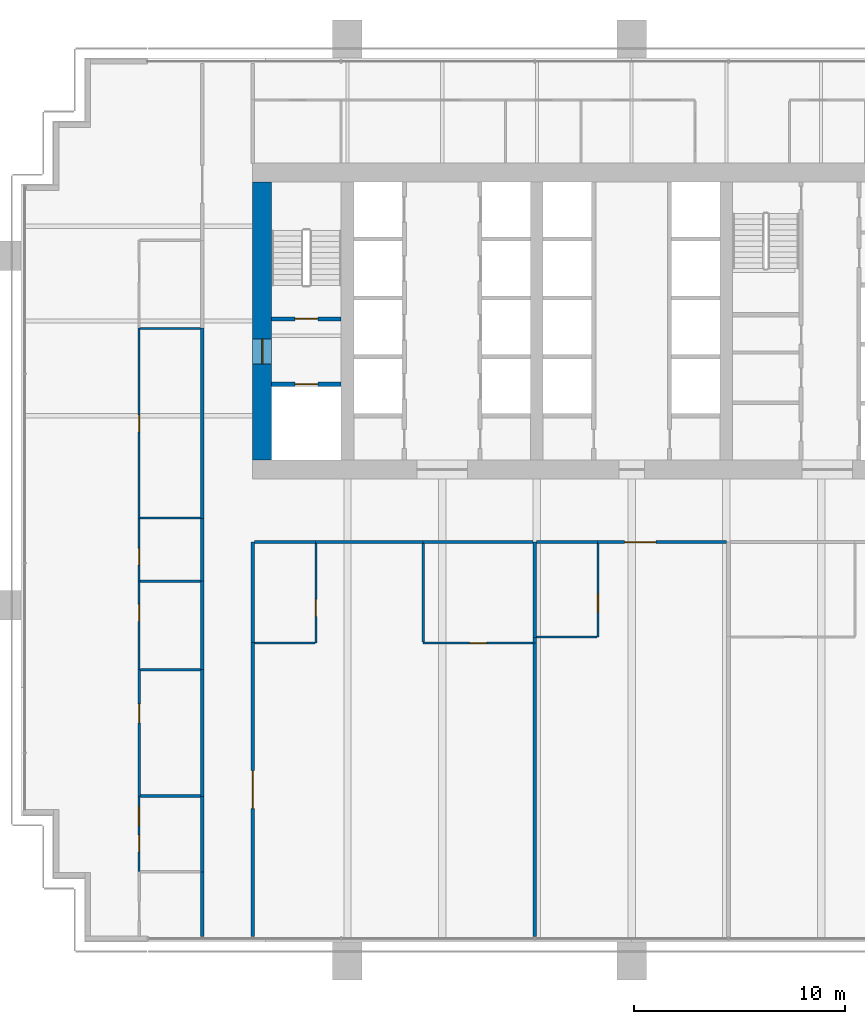
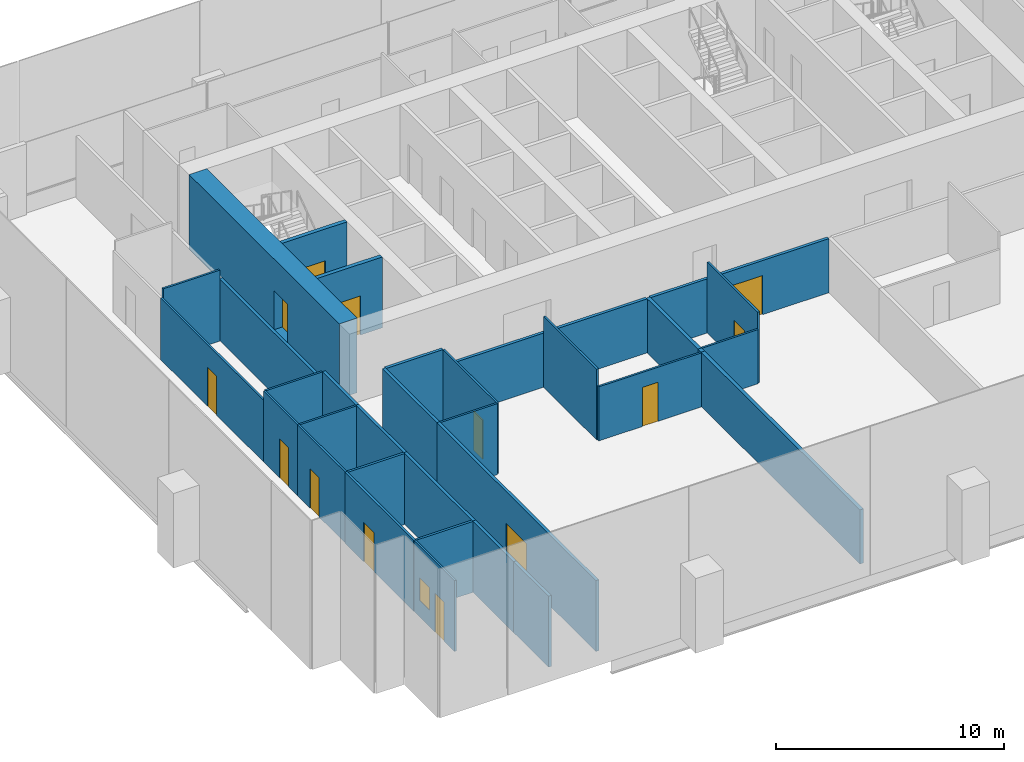
# One storey, part 10 of 17: 35 walls, 13 doors, 1 window, 14 openings.
"""IFC4 building model written with IfcOpenShell, lengths in metres."""

from ifc_helpers import new_model, si_unit, direction, frame, frame_2d, origin, place, context, subcontext, project, spatial, rectangle, extrude, material, layer, layer_set, type_object, element, fill, save


model = new_model("IFC4")

# Units and contexts
model_context = context("Model", 3, precision=1e-05, world=origin(), true_north=direction((0.0, 1.0)))
body_context = subcontext(model_context, "Body", "Model", "MODEL_VIEW")
ifc_project = project(units=[si_unit("LENGTHUNIT", "METRE"), si_unit("AREAUNIT", "SQUARE_METRE"), si_unit("VOLUMEUNIT", "CUBIC_METRE"), si_unit("PLANEANGLEUNIT", "RADIAN"), si_unit("MASSUNIT", "GRAM", prefix="KILO")], contexts=[model_context])

# Site, building, storey
site_placement = place(None, origin())
site = spatial("IfcSite", under=ifc_project, at=site_placement, CompositionType="ELEMENT")
building_placement = place(site_placement, origin())
building = spatial("IfcBuilding", under=site, at=building_placement, Name="Rattan Terrace Tower", CompositionType="ELEMENT")
storey_placement = place(building_placement, frame((0.0, 0.0, 138.10009765625)))
storey = spatial("IfcBuildingStorey", under=building, at=storey_placement, Name="L31", CompositionType="ELEMENT", Elevation=138.10009765625)

# Wall, opening, door
ifc_material_1 = material(Name="Gypsum board partition")
ifc_layer_1 = layer(ifc_material_1, 0.199951171875)
ifc_layer_set_1 = layer_set([ifc_layer_1], Name="Core partition 200")
wall_type_1 = type_object("IfcWallType", Name="Core partition 200", PredefinedType="PARTITIONING", material=ifc_layer_set_1)
wall_1_placement = place(storey_placement, frame((-17.10009765625, -3.0, 0.0), z_axis=(0.0, 0.0, 1.0), x_axis=(1.0, 0.0, 0.0)))
wall_1 = element("IfcWall", 1, at=wall_1_placement, inside=storey, type_object=wall_type_1, Name="Fire-fighting lobby wall", PredefinedType="PARTITIONING", context=body_context, shape_type="SweptSolid", body=[
    extrude(rectangle(XDim=3.300048828125, YDim=0.199951171875, at=frame_2d((1.64990234375, 0.0))), origin(), (0.0, 0.0, 1.0), 3.7998046875),
])
opening_1_placement = place(wall_1_placement, frame((1.10009765625, 0.0, 0.0)))
opening_1 = element("IfcOpeningElement", 2, at=opening_1_placement, cuts=wall_1, Name="Opening L31-LD-FF1", PredefinedType="OPENING", context=body_context, shape_type="SweptSolid", body=[
    extrude(rectangle(XDim=1.10009765625, YDim=2.10009765625, at=frame_2d((0.550048828125, 1.050048828125))), frame((0.0, 0.110595703125, 0.0), z_axis=(0.0, -1.0, 0.0), x_axis=(1.0, 0.0, 0.0)), (0.0, 0.0, 1.0), 0.220947265625),
])
ifc_material_2 = material(Name="Brushed stainless landing door panel")
door_type_1 = type_object("IfcDoorType", Name="Core lift landing door 1100", OperationType="DOUBLE_DOOR_SLIDING", PredefinedType="DOOR", material=ifc_material_2)
door_1_placement = place(opening_1_placement, origin())
door_1 = element("IfcDoor", 3, at=door_1_placement, inside=storey, type_object=door_type_1, Name="Door L31-LD-FF1", OperationType="DOUBLE_DOOR_SLIDING", OverallHeight=2.10009765625, OverallWidth=1.10009765625, PredefinedType="DOOR", context=body_context, shape_type="SweptSolid", body=[
    extrude(rectangle(XDim=1.10009765625, YDim=2.10009765625, at=frame_2d((0.550048828125, 1.050048828125))), frame((0.0, 0.02490234375, 0.0), z_axis=(0.0, -1.0, 0.0), x_axis=(1.0, 0.0, 0.0)), (0.0, 0.0, 1.0), 0.050048828125),
])
fill(opening_1, door_1)

wall_2_placement = place(storey_placement, frame((-17.10009765625, 0.10009765625, 0.0), z_axis=(0.0, 0.0, 1.0), x_axis=(1.0, 0.0, 0.0)))
wall_2 = element("IfcWall", 4, at=wall_2_placement, inside=storey, type_object=wall_type_1, Name="Stair enclosure wall", PredefinedType="PARTITIONING", context=body_context, shape_type="SweptSolid", body=[
    extrude(rectangle(XDim=3.300048828125, YDim=0.199951171875, at=frame_2d((1.64990234375, 0.0))), origin(), (0.0, 0.0, 1.0), 3.7998046875),
])
opening_2_placement = place(wall_2_placement, frame((1.10009765625, 0.0, 0.0)))
opening_2 = element("IfcOpeningElement", 5, at=opening_2_placement, cuts=wall_2, Name="Opening L31-D002", PredefinedType="OPENING", context=body_context, shape_type="SweptSolid", body=[
    extrude(rectangle(XDim=1.10009765625, YDim=2.10009765625, at=frame_2d((0.550048828125, 1.050048828125))), frame((0.0, 0.110595703125, 0.0), z_axis=(0.0, -1.0, 0.0), x_axis=(1.0, 0.0, 0.0)), (0.0, 0.0, 1.0), 0.220947265625),
])
ifc_material_3 = material(Name="Hollow-metal fire door leaf")
door_type_2 = type_object("IfcDoorType", Name="Core stair door 1100", OperationType="NOTDEFINED", PredefinedType="DOOR", material=ifc_material_3)
door_2_placement = place(opening_2_placement, origin())
door_2 = element("IfcDoor", 6, at=door_2_placement, inside=storey, type_object=door_type_2, Name="Door L31-D002", OperationType="SINGLE_SWING_LEFT", OverallHeight=2.10009765625, OverallWidth=1.10009765625, PredefinedType="DOOR", context=body_context, shape_type="SweptSolid", body=[
    extrude(rectangle(XDim=1.10009765625, YDim=2.10009765625, at=frame_2d((0.550048828125, 1.050048828125))), frame((0.0, 0.02490234375, 0.0), z_axis=(0.0, -1.0, 0.0), x_axis=(1.0, 0.0, 0.0)), (0.0, 0.0, 1.0), 0.050048828125),
])
fill(opening_2, door_2)

ifc_material_4 = material(Name="Concrete C60/75", Category="concrete")
ifc_layer_2 = layer(ifc_material_4, 0.89990234375)
ifc_layer_set_2 = layer_set([ifc_layer_2], Name="Core ring wall 900 C60/75")
wall_type_2 = type_object("IfcWallType", Name="Core ring wall 900 C60/75", PredefinedType="SHEAR", material=ifc_layer_set_2)
wall_3_placement = place(storey_placement, frame((-17.550048828125, -6.60009765625, -0.2001953125), z_axis=(0.0, 0.0, 1.0), x_axis=(0.0, 1.0, 0.0)))
wall_3 = element("IfcWall", 7, at=wall_3_placement, inside=storey, type_object=wall_type_2, Name="Rear core wall west", PredefinedType="SHEAR", context=body_context, shape_type="SweptSolid", body=[
    extrude(rectangle(XDim=13.2001953125, YDim=0.89990234375, at=frame_2d((6.60009765625, 0.0))), origin(), (0.0, 0.0, 1.0), 4.0),
])
opening_3_placement = place(wall_3_placement, frame((4.550048828125, 0.0, 0.199951171875)))
opening_3 = element("IfcOpeningElement", 8, at=opening_3_placement, cuts=wall_3, Name="Opening L31-D001", PredefinedType="OPENING", context=body_context, shape_type="SweptSolid", body=[
    extrude(rectangle(XDim=1.199951171875, YDim=2.10009765625, at=frame_2d((0.60009765625, 1.050048828125))), frame((0.0, 0.46044921875, 0.0), z_axis=(0.0, -1.0, 0.0), x_axis=(1.0, 0.0, 0.0)), (0.0, 0.0, 1.0), 0.9208984375),
])
ifc_material_5 = material(Name="Hollow-metal fire door leaf")
door_type_3 = type_object("IfcDoorType", Name="Core fire-fighting lobby door 1200", OperationType="NOTDEFINED", PredefinedType="DOOR", material=ifc_material_5)
door_3_placement = place(opening_3_placement, origin())
door_3 = element("IfcDoor", 9, at=door_3_placement, inside=storey, type_object=door_type_3, Name="Door L31-D001", OperationType="SINGLE_SWING_RIGHT", OverallHeight=2.10009765625, OverallWidth=1.199951171875, PredefinedType="DOOR", context=body_context, shape_type="SweptSolid", body=[
    extrude(rectangle(XDim=1.199951171875, YDim=2.10009765625, at=frame_2d((0.60009765625, 1.050048828125))), frame((0.0, 0.02490234375, 0.0), z_axis=(0.0, -1.0, 0.0), x_axis=(1.0, 0.0, 0.0)), (0.0, 0.0, 1.0), 0.050048828125),
])
fill(opening_3, door_3)

# Walls
ifc_material_6 = material(Name="Double steel stud acoustic partition, gypsum board, mineral wool, fire rated", Category="steel")
ifc_layer_3 = layer(ifc_material_6, 0.179931640625)
ifc_layer_set_3 = layer_set([ifc_layer_3], Name="Floors Acoustic Party Wall 180")
wall_type_3 = type_object("IfcWallType", Name="Floors Acoustic Party Wall 180", PredefinedType="PARTITIONING", material=ifc_layer_set_3)
wall_4_placement = place(storey_placement, frame((-4.60009765625, -15.300048828125, 0.0), z_axis=(0.0, 0.0, 1.0), x_axis=(0.0, -1.0, 0.0)))
element("IfcWall", 10, at=wall_4_placement, inside=storey, type_object=wall_type_3, Name="pt-L31-076", PredefinedType="PARTITIONING", context=body_context, shape_type="SweptSolid", body=[
    extrude(rectangle(XDim=13.93994140625, YDim=0.179931640625, at=frame_2d((6.969970703125, 0.0))), origin(), (0.0, 0.0, 1.0), 2.89990234375),
])
wall_5_placement = place(storey_placement, frame((-4.60009765625, -15.02001953125, 0.0), z_axis=(0.0, 0.0, 1.0), x_axis=(0.0, -1.0, 0.0)))
element("IfcWall", 11, at=wall_5_placement, inside=storey, type_object=wall_type_3, Name="pt-L31-077", PredefinedType="PARTITIONING", context=body_context, shape_type="SweptSolid", body=[
    extrude(rectangle(XDim=0.280029296875, YDim=0.179931640625, at=frame_2d((0.14013671875, 0.0))), origin(), (0.0, 0.0, 1.0), 2.89990234375),
])
wall_6_placement = place(storey_placement, frame((-4.60009765625, -10.5, 0.0), z_axis=(0.0, 0.0, 1.0), x_axis=(0.0, -1.0, 0.0)))
element("IfcWall", 12, at=wall_6_placement, inside=storey, type_object=wall_type_3, Name="pt-L31-078", PredefinedType="PARTITIONING", context=body_context, shape_type="SweptSolid", body=[
    extrude(rectangle(XDim=4.52001953125, YDim=0.179931640625, at=frame_2d((2.260009765625, 0.0))), origin(), (0.0, 0.0, 1.0), 2.89990234375),
])

# Wall, openings, door, window
ifc_material_7 = material(Name="Gypsum board partition on steel studs", Category="steel")
ifc_layer_4 = layer(ifc_material_7, 0.10009765625)
ifc_layer_set_4 = layer_set([ifc_layer_4], Name="Floors Partition 100")
wall_type_4 = type_object("IfcWallType", Name="Floors Partition 100", PredefinedType="PARTITIONING", material=ifc_layer_set_4)
wall_7_placement = place(storey_placement, frame((-23.39990234375, -22.580078125, 0.0), z_axis=(0.0, 0.0, 1.0), x_axis=(0.0, -1.0, 0.0)))
wall_7 = element("IfcWall", 13, at=wall_7_placement, inside=storey, type_object=wall_type_4, Name="pt-L31-032", PredefinedType="PARTITIONING", context=body_context, shape_type="SweptSolid", body=[
    extrude(rectangle(XDim=3.559814453125, YDim=0.10009765625, at=frame_2d((1.77978515625, 0.0))), origin(), (0.0, 0.0, 1.0), 3.7998046875),
])
opening_4_placement = place(wall_7_placement, frame((1.83203125, 0.0, 0.0)))
opening_4 = element("IfcOpeningElement", 14, at=opening_4_placement, cuts=wall_7, Name="Opening L31-D102", PredefinedType="OPENING", context=body_context, shape_type="SweptSolid", body=[
    extrude(rectangle(XDim=0.800048828125, YDim=2.10009765625, at=frame_2d((0.39990234375, 1.050048828125))), frame((0.0, 0.060546875, 0.0), z_axis=(0.0, -1.0, 0.0), x_axis=(1.0, 0.0, 0.0)), (0.0, 0.0, 1.0), 0.12109375),
])
opening_5_placement = place(wall_7_placement, frame((0.486083984375, 0.0, 0.89990234375)))
opening_5 = element("IfcOpeningElement", 15, at=opening_5_placement, cuts=wall_7, Name="Opening L31-W100", PredefinedType="OPENING", context=body_context, shape_type="SweptSolid", body=[
    extrude(rectangle(XDim=0.89990234375, YDim=1.199951171875, at=frame_2d((0.449951171875, 0.60009765625))), frame((0.0, 0.060546875, 0.0), z_axis=(0.0, -1.0, 0.0), x_axis=(1.0, 0.0, 0.0)), (0.0, 0.0, 1.0), 0.12109375),
])
ifc_material_8 = material(Name="Solid core timber door, painted", Category="wood")
door_type_4 = type_object("IfcDoorType", Name="Floors Store Door 800x2100", OperationType="NOTDEFINED", PredefinedType="DOOR", material=ifc_material_8)
door_4_placement = place(opening_4_placement, origin())
door_4 = element("IfcDoor", 16, at=door_4_placement, inside=storey, type_object=door_type_4, Name="d-L31-102", OperationType="SINGLE_SWING_RIGHT", OverallHeight=2.10009765625, OverallWidth=0.800048828125, PredefinedType="DOOR", context=body_context, shape_type="SweptSolid", body=[
    extrude(rectangle(XDim=0.800048828125, YDim=2.10009765625, at=frame_2d((0.39990234375, 1.050048828125))), frame((0.0, 0.02490234375, 0.0), z_axis=(0.0, -1.0, 0.0), x_axis=(1.0, 0.0, 0.0)), (0.0, 0.0, 1.0), 0.050048828125),
])
fill(opening_4, door_4)
ifc_material_9 = material(Name="Glass, clear, fixed in aluminium frame", Category="aluminium")
window_type = type_object("IfcWindowType", Name="Interior Vision Window 900x1200", PartitioningType="SINGLE_PANEL", PredefinedType="WINDOW", material=ifc_material_9)
window_placement = place(opening_5_placement, origin())
window = element("IfcWindow", 17, at=window_placement, inside=storey, type_object=window_type, Name="w-L31-100", OverallHeight=1.199951171875, OverallWidth=0.89990234375, PartitioningType="SINGLE_PANEL", PredefinedType="WINDOW", context=body_context, shape_type="SweptSolid", body=[
    extrude(rectangle(XDim=0.89990234375, YDim=1.199951171875, at=frame_2d((0.449951171875, 0.60009765625))), frame((0.0, 0.030029296875, 0.0), z_axis=(0.0, -1.0, 0.0), x_axis=(1.0, 0.0, 0.0)), (0.0, 0.0, 1.0), 0.06005859375),
])
fill(opening_5, window)

# Wall, opening, door
wall_8_placement = place(storey_placement, frame((-23.39990234375, -12.340087890625, 0.0), z_axis=(0.0, 0.0, 1.0), x_axis=(0.0, -1.0, 0.0)))
wall_8 = element("IfcWall", 18, at=wall_8_placement, inside=storey, type_object=wall_type_4, Name="pt-L31-034", PredefinedType="PARTITIONING", context=body_context, shape_type="SweptSolid", body=[
    extrude(rectangle(XDim=4.199951171875, YDim=0.10009765625, at=frame_2d((2.10009765625, 0.0))), origin(), (0.0, 0.0, 1.0), 3.7998046875),
])
opening_6_placement = place(wall_8_placement, frame((1.1201171875, 0.0, 0.0)))
opening_6 = element("IfcOpeningElement", 19, at=opening_6_placement, cuts=wall_8, Name="Opening L31-D104", PredefinedType="OPENING", context=body_context, shape_type="SweptSolid", body=[
    extrude(rectangle(XDim=0.800048828125, YDim=2.10009765625, at=frame_2d((0.39990234375, 1.050048828125))), frame((0.0, 0.060546875, 0.0), z_axis=(0.0, -1.0, 0.0), x_axis=(1.0, 0.0, 0.0)), (0.0, 0.0, 1.0), 0.12109375),
])
door_5_placement = place(opening_6_placement, origin())
door_5 = element("IfcDoor", 20, at=door_5_placement, inside=storey, type_object=door_type_4, Name="d-L31-104", OperationType="SINGLE_SWING_LEFT", OverallHeight=2.10009765625, OverallWidth=0.800048828125, PredefinedType="DOOR", context=body_context, shape_type="SweptSolid", body=[
    extrude(rectangle(XDim=0.800048828125, YDim=2.10009765625, at=frame_2d((0.39990234375, 1.050048828125))), frame((0.0, 0.02490234375, 0.0), z_axis=(0.0, -1.0, 0.0), x_axis=(1.0, 0.0, 0.0)), (0.0, 0.0, 1.0), 0.050048828125),
])
fill(opening_6, door_5)

wall_9_placement = place(storey_placement, frame((-23.39990234375, -9.3798828125, 0.0), z_axis=(0.0, 0.0, 1.0), x_axis=(0.0, -1.0, 0.0)))
wall_9 = element("IfcWall", 21, at=wall_9_placement, inside=storey, type_object=wall_type_4, Name="pt-L31-035", PredefinedType="PARTITIONING", context=body_context, shape_type="SweptSolid", body=[
    extrude(rectangle(XDim=2.960205078125, YDim=0.10009765625, at=frame_2d((1.47998046875, 0.0))), origin(), (0.0, 0.0, 1.0), 3.7998046875),
])
opening_7_placement = place(wall_9_placement, frame((1.412109375, 0.0, 0.0)))
opening_7 = element("IfcOpeningElement", 22, at=opening_7_placement, cuts=wall_9, Name="Opening L31-D105", PredefinedType="OPENING", context=body_context, shape_type="SweptSolid", body=[
    extrude(rectangle(XDim=0.800048828125, YDim=2.10009765625, at=frame_2d((0.39990234375, 1.050048828125))), frame((0.0, 0.060546875, 0.0), z_axis=(0.0, -1.0, 0.0), x_axis=(1.0, 0.0, 0.0)), (0.0, 0.0, 1.0), 0.12109375),
])
door_6_placement = place(opening_7_placement, origin())
door_6 = element("IfcDoor", 23, at=door_6_placement, inside=storey, type_object=door_type_4, Name="d-L31-105", OperationType="SINGLE_SWING_RIGHT", OverallHeight=2.10009765625, OverallWidth=0.800048828125, PredefinedType="DOOR", context=body_context, shape_type="SweptSolid", body=[
    extrude(rectangle(XDim=0.800048828125, YDim=2.10009765625, at=frame_2d((0.39990234375, 1.050048828125))), frame((0.0, 0.02490234375, 0.0), z_axis=(0.0, -1.0, 0.0), x_axis=(1.0, 0.0, 0.0)), (0.0, 0.0, 1.0), 0.050048828125),
])
fill(opening_7, door_6)

wall_10_placement = place(storey_placement, frame((-23.39990234375, -0.340087890625, 0.0), z_axis=(0.0, 0.0, 1.0), x_axis=(0.0, -1.0, 0.0)))
wall_10 = element("IfcWall", 24, at=wall_10_placement, inside=storey, type_object=wall_type_4, Name="pt-L31-036", PredefinedType="PARTITIONING", context=body_context, shape_type="SweptSolid", body=[
    extrude(rectangle(XDim=9.039794921875, YDim=0.10009765625, at=frame_2d((4.52001953125, 0.0))), origin(), (0.0, 0.0, 1.0), 3.2998046875),
])
opening_8_placement = place(wall_10_placement, frame((4.1201171875, 0.0, 0.0)))
opening_8 = element("IfcOpeningElement", 25, at=opening_8_placement, cuts=wall_10, Name="Opening L31-D106", PredefinedType="OPENING", context=body_context, shape_type="SweptSolid", body=[
    extrude(rectangle(XDim=0.800048828125, YDim=2.10009765625, at=frame_2d((0.39990234375, 1.050048828125))), frame((0.0, 0.060546875, 0.0), z_axis=(0.0, -1.0, 0.0), x_axis=(1.0, 0.0, 0.0)), (0.0, 0.0, 1.0), 0.12109375),
])
door_7_placement = place(opening_8_placement, origin())
door_7 = element("IfcDoor", 26, at=door_7_placement, inside=storey, type_object=door_type_4, Name="d-L31-106", OperationType="SINGLE_SWING_LEFT", OverallHeight=2.10009765625, OverallWidth=0.800048828125, PredefinedType="DOOR", context=body_context, shape_type="SweptSolid", body=[
    extrude(rectangle(XDim=0.800048828125, YDim=2.10009765625, at=frame_2d((0.39990234375, 1.050048828125))), frame((0.0, 0.02490234375, 0.0), z_axis=(0.0, -1.0, 0.0), x_axis=(1.0, 0.0, 0.0)), (0.0, 0.0, 1.0), 0.050048828125),
])
fill(opening_8, door_7)

# Walls
for number, where, z_axis, x_axis, name in (
    (27, (-23.35009765625, -12.360107421875, 0.0), (0.0, 0.0, 1.0), (1.0, 0.0, 0.0), "pt-L31-042"),
    (28, (-23.35009765625, -9.360107421875, 0.0), (0.0, 0.0, 1.0), (1.0, 0.0, 0.0), "pt-L31-043"),
    (29, (-23.35009765625, -0.360107421875, 0.0), (0.0, 0.0, 1.0), (1.0, 0.0, 0.0), "pt-L31-044"),
    (30, (-17.925048828125, -15.300048828125, 0.0), (0.0, 0.0, 1.0), (1.0, 0.0, 0.0), "pt-L31-072"),
):
    element("IfcWall", number, at=place(storey_placement, frame(where, z_axis=z_axis, x_axis=x_axis)), inside=storey, type_object=wall_type_4, Name=name, PredefinedType="PARTITIONING", context=body_context, shape_type="SweptSolid", body=[
        extrude(rectangle(XDim=2.875, YDim=0.10009765625, at=frame_2d((1.4375, 0.0))), origin(), (0.0, 0.0, 1.0), 3.7998046875),
    ])

# Wall, opening, door
wall_11_placement = place(storey_placement, frame((-15.0, -15.300048828125, 0.0), z_axis=(0.0, 0.0, 1.0), x_axis=(0.0, 1.0, 0.0)))
wall_11 = element("IfcWall", 31, at=wall_11_placement, inside=storey, type_object=wall_type_4, Name="pt-L31-073", PredefinedType="PARTITIONING", context=body_context, shape_type="SweptSolid", body=[
    extrude(rectangle(XDim=4.72509765625, YDim=0.10009765625, at=frame_2d((2.362548828125, 0.0))), origin(), (0.0, 0.0, 1.0), 3.7998046875),
])
opening_9_placement = place(wall_11_placement, frame((1.278076171875, 0.0, 0.0)))
opening_9 = element("IfcOpeningElement", 32, at=opening_9_placement, cuts=wall_11, Name="Opening L31-D124", PredefinedType="OPENING", context=body_context, shape_type="SweptSolid", body=[
    extrude(rectangle(XDim=0.800048828125, YDim=2.10009765625, at=frame_2d((0.39990234375, 1.050048828125))), frame((0.0, 0.060546875, 0.0), z_axis=(0.0, -1.0, 0.0), x_axis=(1.0, 0.0, 0.0)), (0.0, 0.0, 1.0), 0.12109375),
])
door_8_placement = place(opening_9_placement, origin())
door_8 = element("IfcDoor", 33, at=door_8_placement, inside=storey, type_object=door_type_4, Name="d-L31-124", OperationType="SINGLE_SWING_LEFT", OverallHeight=2.10009765625, OverallWidth=0.800048828125, PredefinedType="DOOR", context=body_context, shape_type="SweptSolid", body=[
    extrude(rectangle(XDim=0.800048828125, YDim=2.10009765625, at=frame_2d((0.39990234375, 1.050048828125))), frame((0.0, 0.02490234375, 0.0), z_axis=(0.0, -1.0, 0.0), x_axis=(1.0, 0.0, 0.0)), (0.0, 0.0, 1.0), 0.050048828125),
])
fill(opening_9, door_8)

# Wall
wall_12_placement = place(storey_placement, frame((-9.89990234375, -10.574951171875, 0.0), z_axis=(0.0, 0.0, 1.0), x_axis=(0.0, -1.0, 0.0)))
element("IfcWall", 34, at=wall_12_placement, inside=storey, type_object=wall_type_4, Name="pt-L31-074", PredefinedType="PARTITIONING", context=body_context, shape_type="SweptSolid", body=[
    extrude(rectangle(XDim=4.675048828125, YDim=0.10009765625, at=frame_2d((2.33740234375, 0.0))), origin(), (0.0, 0.0, 1.0), 3.7998046875),
])

# Wall, opening, door
wall_13_placement = place(storey_placement, frame((-9.89990234375, -15.300048828125, 0.0), z_axis=(0.0, 0.0, 1.0), x_axis=(1.0, 0.0, 0.0)))
wall_13 = element("IfcWall", 35, at=wall_13_placement, inside=storey, type_object=wall_type_4, Name="pt-L31-075", PredefinedType="PARTITIONING", context=body_context, shape_type="SweptSolid", body=[
    extrude(rectangle(XDim=5.2099609375, YDim=0.10009765625, at=frame_2d((2.60498046875, 0.0))), origin(), (0.0, 0.0, 1.0), 2.89990234375),
])
opening_10_placement = place(wall_13_placement, frame((2.205078125, 0.0, 0.0)))
opening_10 = element("IfcOpeningElement", 36, at=opening_10_placement, cuts=wall_13, Name="Opening L31-D125", PredefinedType="OPENING", context=body_context, shape_type="SweptSolid", body=[
    extrude(rectangle(XDim=0.800048828125, YDim=2.10009765625, at=frame_2d((0.39990234375, 1.050048828125))), frame((0.0, 0.060546875, 0.0), z_axis=(0.0, -1.0, 0.0), x_axis=(1.0, 0.0, 0.0)), (0.0, 0.0, 1.0), 0.12109375),
])
door_9_placement = place(opening_10_placement, origin())
door_9 = element("IfcDoor", 37, at=door_9_placement, inside=storey, type_object=door_type_4, Name="d-L31-125", OperationType="SINGLE_SWING_RIGHT", OverallHeight=2.10009765625, OverallWidth=0.800048828125, PredefinedType="DOOR", context=body_context, shape_type="SweptSolid", body=[
    extrude(rectangle(XDim=0.800048828125, YDim=2.10009765625, at=frame_2d((0.39990234375, 1.050048828125))), frame((0.0, 0.02490234375, 0.0), z_axis=(0.0, -1.0, 0.0), x_axis=(1.0, 0.0, 0.0)), (0.0, 0.0, 1.0), 0.050048828125),
])
fill(opening_10, door_9)

# Wall
wall_14_placement = place(storey_placement, frame((-4.510009765625, -15.0, 0.0), z_axis=(0.0, 0.0, 1.0), x_axis=(1.0, 0.0, 0.0)))
element("IfcWall", 38, at=wall_14_placement, inside=storey, type_object=wall_type_4, Name="pt-L31-079", PredefinedType="PARTITIONING", context=body_context, shape_type="SweptSolid", body=[
    extrude(rectangle(XDim=2.860107421875, YDim=0.10009765625, at=frame_2d((1.43017578125, 0.0))), origin(), (0.0, 0.0, 1.0), 2.89990234375),
])

# Wall, opening, door
wall_15_placement = place(storey_placement, frame((-1.60009765625, -15.0, 0.0), z_axis=(0.0, 0.0, 1.0), x_axis=(0.0, 1.0, 0.0)))
wall_15 = element("IfcWall", 39, at=wall_15_placement, inside=storey, type_object=wall_type_4, Name="pt-L31-080", PredefinedType="PARTITIONING", context=body_context, shape_type="SweptSolid", body=[
    extrude(rectangle(XDim=4.425048828125, YDim=0.10009765625, at=frame_2d((2.21240234375, 0.0))), origin(), (0.0, 0.0, 1.0), 3.7998046875),
])
opening_11_placement = place(wall_15_placement, frame((1.157958984375, 0.0, 0.0)))
opening_11 = element("IfcOpeningElement", 40, at=opening_11_placement, cuts=wall_15, Name="Opening L31-D127", PredefinedType="OPENING", context=body_context, shape_type="SweptSolid", body=[
    extrude(rectangle(XDim=0.89990234375, YDim=2.10009765625, at=frame_2d((0.449951171875, 1.050048828125))), frame((0.0, 0.060546875, 0.0), z_axis=(0.0, -1.0, 0.0), x_axis=(1.0, 0.0, 0.0)), (0.0, 0.0, 1.0), 0.12109375),
])
ifc_material_10 = material(Name="Solid core timber door, painted", Category="wood")
door_type_5 = type_object("IfcDoorType", Name="Floors Door 900x2100", OperationType="NOTDEFINED", PredefinedType="DOOR", material=ifc_material_10)
door_10_placement = place(opening_11_placement, origin())
door_10 = element("IfcDoor", 41, at=door_10_placement, inside=storey, type_object=door_type_5, Name="d-L31-127", OperationType="SINGLE_SWING_LEFT", OverallHeight=2.10009765625, OverallWidth=0.89990234375, PredefinedType="DOOR", context=body_context, shape_type="SweptSolid", body=[
    extrude(rectangle(XDim=0.89990234375, YDim=2.10009765625, at=frame_2d((0.449951171875, 1.050048828125))), frame((0.0, 0.02490234375, 0.0), z_axis=(0.0, -1.0, 0.0), x_axis=(1.0, 0.0, 0.0)), (0.0, 0.0, 1.0), 0.050048828125),
])
fill(opening_11, door_10)

# Walls
ifc_material_11 = material(Name="Gypsum board partition on steel studs, fire rated", Category="steel")
ifc_layer_5 = layer(ifc_material_11, 0.14990234375)
ifc_layer_set_5 = layer_set([ifc_layer_5], Name="Floors Tenancy Wall 150")
wall_type_5 = type_object("IfcWallType", Name="Floors Tenancy Wall 150", PredefinedType="PARTITIONING", material=ifc_layer_set_5)
wall_16_placement = place(storey_placement, frame((-20.39990234375, -29.239990234375, 0.0), z_axis=(0.0, 0.0, 1.0), x_axis=(0.0, 1.0, 0.0)))
element("IfcWall", 42, at=wall_16_placement, inside=storey, type_object=wall_type_5, Name="pt-L31-002", PredefinedType="PARTITIONING", context=body_context, shape_type="SweptSolid", body=[
    extrude(rectangle(XDim=3.06005859375, YDim=0.14990234375, at=frame_2d((1.530029296875, 0.0))), origin(), (0.0, 0.0, 1.0), 3.7998046875),
])
wall_17_placement = place(storey_placement, frame((-20.39990234375, -26.179931640625, 0.0), z_axis=(0.0, 0.0, 1.0), x_axis=(0.0, 1.0, 0.0)))
element("IfcWall", 43, at=wall_17_placement, inside=storey, type_object=wall_type_5, Name="pt-L31-003", PredefinedType="PARTITIONING", context=body_context, shape_type="SweptSolid", body=[
    extrude(rectangle(XDim=3.599853515625, YDim=0.14990234375, at=frame_2d((1.7998046875, 0.0))), origin(), (0.0, 0.0, 1.0), 3.7998046875),
])
wall_18_placement = place(storey_placement, frame((-20.39990234375, -22.580078125, 0.0), z_axis=(0.0, 0.0, 1.0), x_axis=(0.0, 1.0, 0.0)))
element("IfcWall", 44, at=wall_18_placement, inside=storey, type_object=wall_type_5, Name="pt-L31-004", PredefinedType="PARTITIONING", context=body_context, shape_type="SweptSolid", body=[
    extrude(rectangle(XDim=6.0400390625, YDim=0.14990234375, at=frame_2d((3.02001953125, 0.0))), origin(), (0.0, 0.0, 1.0), 3.7998046875),
])
wall_19_placement = place(storey_placement, frame((-20.39990234375, -16.5400390625, 0.0), z_axis=(0.0, 0.0, 1.0), x_axis=(0.0, 1.0, 0.0)))
element("IfcWall", 45, at=wall_19_placement, inside=storey, type_object=wall_type_5, Name="pt-L31-005", PredefinedType="PARTITIONING", context=body_context, shape_type="SweptSolid", body=[
    extrude(rectangle(XDim=4.199951171875, YDim=0.14990234375, at=frame_2d((2.10009765625, 0.0))), origin(), (0.0, 0.0, 1.0), 3.7998046875),
])
wall_20_placement = place(storey_placement, frame((-20.39990234375, -12.340087890625, 0.0), z_axis=(0.0, 0.0, 1.0), x_axis=(0.0, 1.0, 0.0)))
element("IfcWall", 46, at=wall_20_placement, inside=storey, type_object=wall_type_5, Name="pt-L31-006", PredefinedType="PARTITIONING", context=body_context, shape_type="SweptSolid", body=[
    extrude(rectangle(XDim=2.960205078125, YDim=0.14990234375, at=frame_2d((1.47998046875, 0.0))), origin(), (0.0, 0.0, 1.0), 3.7998046875),
])
wall_21_placement = place(storey_placement, frame((-20.39990234375, -9.3798828125, 0.0), z_axis=(0.0, 0.0, 1.0), x_axis=(0.0, 1.0, 0.0)))
element("IfcWall", 47, at=wall_21_placement, inside=storey, type_object=wall_type_5, Name="pt-L31-007", PredefinedType="PARTITIONING", context=body_context, shape_type="SweptSolid", body=[
    extrude(rectangle(XDim=9.039794921875, YDim=0.14990234375, at=frame_2d((4.52001953125, 0.0))), origin(), (0.0, 0.0, 1.0), 3.2998046875),
])

# Wall, opening, door
wall_22_placement = place(storey_placement, frame((-18.0, -15.280029296875, 0.0), z_axis=(0.0, 0.0, 1.0), x_axis=(0.0, -1.0, 0.0)))
wall_22 = element("IfcWall", 48, at=wall_22_placement, inside=storey, type_object=wall_type_5, Name="pt-L31-021", PredefinedType="PARTITIONING", context=body_context, shape_type="SweptSolid", body=[
    extrude(rectangle(XDim=13.9599609375, YDim=0.14990234375, at=frame_2d((6.97998046875, 0.0))), origin(), (0.0, 0.0, 1.0), 3.7998046875),
])
opening_12_placement = place(wall_22_placement, frame((6.080078125, 0.0, 0.0)))
opening_12 = element("IfcOpeningElement", 49, at=opening_12_placement, cuts=wall_22, Name="Opening L31-D123", PredefinedType="OPENING", context=body_context, shape_type="SweptSolid", body=[
    extrude(rectangle(XDim=1.800048828125, YDim=2.10009765625, at=frame_2d((0.89990234375, 1.050048828125))), frame((0.0, 0.08544921875, 0.0), z_axis=(0.0, -1.0, 0.0), x_axis=(1.0, 0.0, 0.0)), (0.0, 0.0, 1.0), 0.1708984375),
])
ifc_material_12 = material(Name="Steel fire door set", Category="steel")
door_type_6 = type_object("IfcDoorType", Name="Floors Fire Door Pair FD30S 1800x2100", OperationType="NOTDEFINED", PredefinedType="DOOR", material=ifc_material_12)
door_11_placement = place(opening_12_placement, origin())
door_11 = element("IfcDoor", 50, at=door_11_placement, inside=storey, type_object=door_type_6, Name="d-L31-123", OperationType="DOUBLE_DOOR_SINGLE_SWING", OverallHeight=2.10009765625, OverallWidth=1.800048828125, PredefinedType="DOOR", context=body_context, shape_type="SweptSolid", body=[
    extrude(rectangle(XDim=1.800048828125, YDim=2.10009765625, at=frame_2d((0.89990234375, 1.050048828125))), frame((0.0, 0.02490234375, 0.0), z_axis=(0.0, -1.0, 0.0), x_axis=(1.0, 0.0, 0.0)), (0.0, 0.0, 1.0), 0.050048828125),
])
fill(opening_12, door_11)

# Walls
wall_23_placement = place(storey_placement, frame((-9.919921875, -10.5, 0.0), z_axis=(0.0, 0.0, 1.0), x_axis=(-1.0, 0.0, 0.0)))
element("IfcWall", 51, at=wall_23_placement, inside=storey, type_object=wall_type_5, Name="pt-L31-022", PredefinedType="PARTITIONING", context=body_context, shape_type="SweptSolid", body=[
    extrude(rectangle(XDim=5.10009765625, YDim=0.14990234375, at=frame_2d((2.550048828125, 0.0))), origin(), (0.0, 0.0, 1.0), 2.89990234375),
])
wall_24_placement = place(storey_placement, frame((-18.0, -10.5, 0.0), z_axis=(0.0, 0.0, 1.0), x_axis=(0.0, -1.0, 0.0)))
element("IfcWall", 52, at=wall_24_placement, inside=storey, type_object=wall_type_5, Name="pt-L31-023", PredefinedType="PARTITIONING", context=body_context, shape_type="SweptSolid", body=[
    extrude(rectangle(XDim=4.780029296875, YDim=0.14990234375, at=frame_2d((2.39013671875, 0.0))), origin(), (0.0, 0.0, 1.0), 3.7998046875),
])
wall_25_placement = place(storey_placement, frame((-15.02001953125, -10.5, 0.0), z_axis=(0.0, 0.0, 1.0), x_axis=(-1.0, 0.0, 0.0)))
element("IfcWall", 53, at=wall_25_placement, inside=storey, type_object=wall_type_5, Name="pt-L31-024", PredefinedType="PARTITIONING", context=body_context, shape_type="SweptSolid", body=[
    extrude(rectangle(XDim=2.905029296875, YDim=0.14990234375, at=frame_2d((1.45263671875, 0.0))), origin(), (0.0, 0.0, 1.0), 3.7998046875),
])
wall_26_placement = place(storey_placement, frame((-4.68994140625, -10.5, 0.0), z_axis=(0.0, 0.0, 1.0), x_axis=(-1.0, 0.0, 0.0)))
element("IfcWall", 54, at=wall_26_placement, inside=storey, type_object=wall_type_5, Name="pt-L31-025", PredefinedType="PARTITIONING", context=body_context, shape_type="SweptSolid", body=[
    extrude(rectangle(XDim=5.22998046875, YDim=0.14990234375, at=frame_2d((2.614990234375, 0.0))), origin(), (0.0, 0.0, 1.0), 2.89990234375),
])

# Wall, opening, door
wall_27_placement = place(storey_placement, frame((4.510009765625, -10.5, 0.0), z_axis=(0.0, 0.0, 1.0), x_axis=(-1.0, 0.0, 0.0)))
wall_27 = element("IfcWall", 55, at=wall_27_placement, inside=storey, type_object=wall_type_5, Name="pt-L31-026", PredefinedType="PARTITIONING", context=body_context, shape_type="SweptSolid", body=[
    extrude(rectangle(XDim=6.130126953125, YDim=0.14990234375, at=frame_2d((3.06494140625, 0.0))), origin(), (0.0, 0.0, 1.0), 2.89990234375),
])
opening_13_placement = place(wall_27_placement, frame((3.347900390625, 0.0, 0.0)))
opening_13 = element("IfcOpeningElement", 56, at=opening_13_placement, cuts=wall_27, Name="Opening L31-D126", PredefinedType="OPENING", context=body_context, shape_type="SweptSolid", body=[
    extrude(rectangle(XDim=1.5, YDim=2.10009765625, at=frame_2d((0.75, 1.050048828125))), frame((0.0, 0.08544921875, 0.0), z_axis=(0.0, -1.0, 0.0), x_axis=(1.0, 0.0, 0.0)), (0.0, 0.0, 1.0), 0.1708984375),
])
ifc_material_13 = material(Name="Steel fire door set", Category="steel")
door_type_7 = type_object("IfcDoorType", Name="Floors Unit Door Pair FD30S 1500x2100", OperationType="NOTDEFINED", PredefinedType="DOOR", material=ifc_material_13)
door_12_placement = place(opening_13_placement, origin())
door_12 = element("IfcDoor", 57, at=door_12_placement, inside=storey, type_object=door_type_7, Name="d-L31-126", OperationType="DOUBLE_DOOR_SINGLE_SWING", OverallHeight=2.10009765625, OverallWidth=1.5, PredefinedType="DOOR", context=body_context, shape_type="SweptSolid", body=[
    extrude(rectangle(XDim=1.5, YDim=2.10009765625, at=frame_2d((0.75, 1.050048828125))), frame((0.0, 0.02490234375, 0.0), z_axis=(0.0, -1.0, 0.0), x_axis=(1.0, 0.0, 0.0)), (0.0, 0.0, 1.0), 0.050048828125),
])
fill(opening_13, door_12)

# Wall
wall_28_placement = place(storey_placement, frame((-1.6201171875, -10.5, 0.0), z_axis=(0.0, 0.0, 1.0), x_axis=(-1.0, 0.0, 0.0)))
element("IfcWall", 58, at=wall_28_placement, inside=storey, type_object=wall_type_5, Name="pt-L31-027", PredefinedType="PARTITIONING", context=body_context, shape_type="SweptSolid", body=[
    extrude(rectangle(XDim=2.889892578125, YDim=0.14990234375, at=frame_2d((1.44482421875, 0.0))), origin(), (0.0, 0.0, 1.0), 2.89990234375),
])

# Wall, opening, door
ifc_material_14 = material(Name="Moisture resistant gypsum board partition on steel studs with service cavity", Category="steel")
ifc_layer_6 = layer(ifc_material_14, 0.1201171875)
ifc_layer_set_6 = layer_set([ifc_layer_6], Name="Floors Wet Wall 120")
wall_type_6 = type_object("IfcWallType", Name="Floors Wet Wall 120", PredefinedType="PARTITIONING", material=ifc_layer_set_6)
wall_29_placement = place(storey_placement, frame((-23.39990234375, -16.5400390625, 0.0), z_axis=(0.0, 0.0, 1.0), x_axis=(0.0, -1.0, 0.0)))
wall_29 = element("IfcWall", 59, at=wall_29_placement, inside=storey, type_object=wall_type_6, Name="pt-L31-033", PredefinedType="PARTITIONING", context=body_context, shape_type="SweptSolid", body=[
    extrude(rectangle(XDim=6.0400390625, YDim=0.1201171875, at=frame_2d((3.02001953125, 0.0))), origin(), (0.0, 0.0, 1.0), 3.7998046875),
])
opening_14_placement = place(wall_29_placement, frame((1.64208984375, 0.0, 0.0)))
opening_14 = element("IfcOpeningElement", 60, at=opening_14_placement, cuts=wall_29, Name="Opening L31-D103", PredefinedType="OPENING", context=body_context, shape_type="SweptSolid", body=[
    extrude(rectangle(XDim=0.89990234375, YDim=2.10009765625, at=frame_2d((0.449951171875, 1.050048828125))), frame((0.0, 0.070556640625, 0.0), z_axis=(0.0, -1.0, 0.0), x_axis=(1.0, 0.0, 0.0)), (0.0, 0.0, 1.0), 0.14111328125),
])
door_13_placement = place(opening_14_placement, origin())
door_13 = element("IfcDoor", 61, at=door_13_placement, inside=storey, type_object=door_type_5, Name="d-L31-103", OperationType="SINGLE_SWING_LEFT", OverallHeight=2.10009765625, OverallWidth=0.89990234375, PredefinedType="DOOR", context=body_context, shape_type="SweptSolid", body=[
    extrude(rectangle(XDim=0.89990234375, YDim=2.10009765625, at=frame_2d((0.449951171875, 1.050048828125))), frame((0.0, 0.02490234375, 0.0), z_axis=(0.0, -1.0, 0.0), x_axis=(1.0, 0.0, 0.0)), (0.0, 0.0, 1.0), 0.050048828125),
])
fill(opening_14, door_13)

# Walls
for number, where, z_axis, x_axis, name in (
    (62, (-23.340087890625, -22.56005859375, 0.0), (0.0, 0.0, 1.0), (1.0, 0.0, 0.0), "pt-L31-040"),
    (63, (-23.340087890625, -16.56005859375, 0.0), (0.0, 0.0, 1.0), (1.0, 0.0, 0.0), "pt-L31-041"),
):
    element("IfcWall", number, at=place(storey_placement, frame(where, z_axis=z_axis, x_axis=x_axis)), inside=storey, type_object=wall_type_6, Name=name, PredefinedType="PARTITIONING", context=body_context, shape_type="SweptSolid", body=[
        extrude(rectangle(XDim=2.864990234375, YDim=0.1201171875, at=frame_2d((1.4326171875, 0.0))), origin(), (0.0, 0.0, 1.0), 3.7998046875),
    ])

save(model, "model.ifc")
